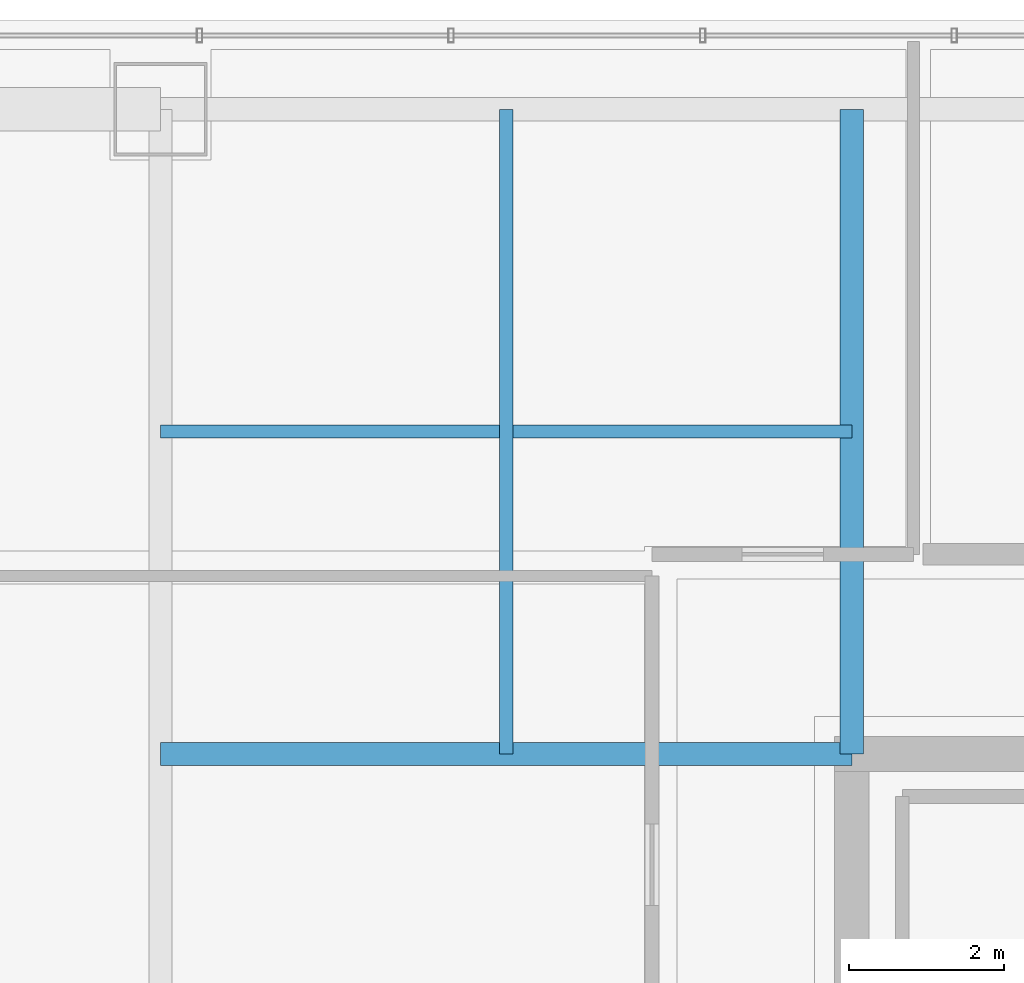
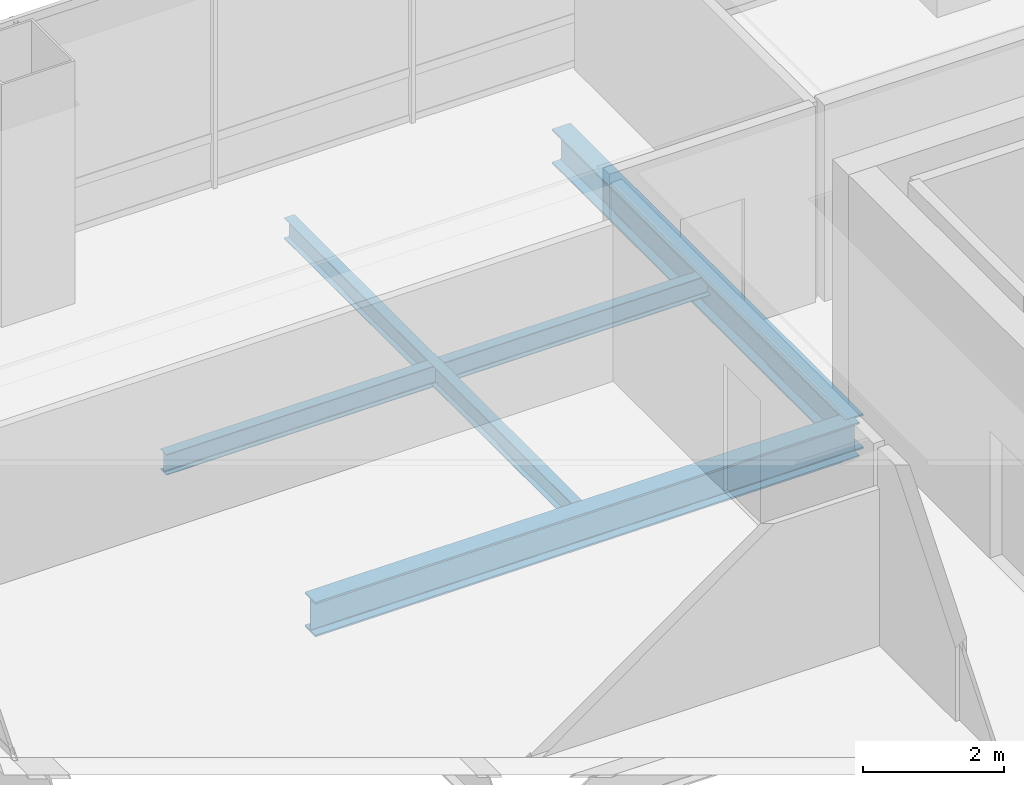
# One storey, part 24 of 42: 4 beams.
"""IFC4 building model written with IfcOpenShell, lengths in metres."""

from ifc_helpers import new_model, si_unit, direction, frame, origin, origin_2d, place, context, subcontext, project, spatial, i_section, extrude, material, material_profile, profile_set, type_object, element, save


model = new_model("IFC4")

# Units and contexts
model_context = context("Model", 3, precision=1e-05, world=origin(), true_north=direction((0.0, 1.0)))
body_context = subcontext(model_context, "Body", "Model", "MODEL_VIEW")
ifc_project = project(units=[si_unit("LENGTHUNIT", "METRE"), si_unit("AREAUNIT", "SQUARE_METRE"), si_unit("VOLUMEUNIT", "CUBIC_METRE"), si_unit("PLANEANGLEUNIT", "RADIAN"), si_unit("MASSUNIT", "GRAM", prefix="KILO")], contexts=[model_context])

# Site, building, storey
site_placement = place(None, origin())
site = spatial("IfcSite", under=ifc_project, at=site_placement, CompositionType="ELEMENT")
building_placement = place(site_placement, origin())
building = spatial("IfcBuilding", under=site, at=building_placement, Name="Punatoya Terracotta Tower", CompositionType="ELEMENT")
storey_placement = place(building_placement, frame((0.0, 0.0, 325.800048828125)))
storey = spatial("IfcBuildingStorey", under=building, at=storey_placement, Name="L77", CompositionType="ELEMENT", Elevation=325.800048828125)

# Beams
ifc_material = material(Name="Steel S355", Category="steel")
ifc_material_profile_1 = material_profile(ifc_material, i_section(OverallWidth=0.300048828125, OverallDepth=0.60009765625, WebThickness=0.015380859375, FlangeThickness=0.030029296875, FilletRadius=0.01806640625, at=origin_2d()))
ifc_profile_set_1 = profile_set([ifc_material_profile_1], Name="Steel S355")
beam_type_1 = type_object("IfcBeamType", Name="BM-PRI-600", PredefinedType="BEAM", material=ifc_profile_set_1)
beam_1_placement = place(storey_placement, frame((-19.10009765625, 9.199951171875, -0.5), z_axis=(1.0, 0.0, 0.0), x_axis=(0.0, 1.0, 0.0)))
element("IfcBeam", 1, at=beam_1_placement, inside=storey, type_object=beam_type_1, Name="BM-L77-PR-WN", PredefinedType="BEAM", context=body_context, shape_type="SweptSolid", body=[
    extrude(i_section(OverallWidth=0.300048828125, OverallDepth=0.60009765625, WebThickness=0.015380859375, FlangeThickness=0.030029296875, FilletRadius=0.01806640625, at=origin_2d()), origin(), (0.0, 0.0, 1.0), 8.900146484375),
])
beam_2_placement = place(storey_placement, frame((-10.199951171875, 9.199951171875, -0.5), z_axis=(0.0, 1.0, 0.0), x_axis=(-1.0, 0.0, 0.0)))
element("IfcBeam", 2, at=beam_2_placement, inside=storey, type_object=beam_type_1, Name="BM-L77-PR-N1", PredefinedType="BEAM", context=body_context, shape_type="SweptSolid", body=[
    extrude(i_section(OverallWidth=0.300048828125, OverallDepth=0.60009765625, WebThickness=0.015380859375, FlangeThickness=0.030029296875, FilletRadius=0.01806640625, at=origin_2d()), origin(), (0.0, 0.0, 1.0), 8.300048828125),
])
ifc_material_profile_2 = material_profile(ifc_material, i_section(OverallWidth=0.169921875, OverallDepth=0.360107421875, WebThickness=0.008056640625, FlangeThickness=0.0126953125, FilletRadius=0.01806640625, at=origin_2d()))
ifc_profile_set_2 = profile_set([ifc_material_profile_2], Name="Steel S355")
beam_type_2 = type_object("IfcBeamType", Name="BM-SEC-360", PredefinedType="JOIST", material=ifc_profile_set_2)
beam_3_placement = place(storey_placement, frame((-19.10009765625, 13.35009765625, -0.380126953125), z_axis=(1.0, 0.0, 0.0), x_axis=(0.0, 1.0, 0.0)))
element("IfcBeam", 3, at=beam_3_placement, inside=storey, type_object=beam_type_2, Name="BM-L77-SJN-1", PredefinedType="JOIST", context=body_context, shape_type="SweptSolid", body=[
    extrude(i_section(OverallWidth=0.169921875, OverallDepth=0.360107421875, WebThickness=0.008056640625, FlangeThickness=0.0126953125, FilletRadius=0.01806640625, at=origin_2d()), origin(), (0.0, 0.0, 1.0), 8.900146484375),
])
beam_4_placement = place(storey_placement, frame((-14.64990234375, 9.199951171875, -0.380126953125), z_axis=(0.0, 1.0, 0.0), x_axis=(-1.0, 0.0, 0.0)))
element("IfcBeam", 4, at=beam_4_placement, inside=storey, type_object=beam_type_2, Name="BM-L77-SJW-2", PredefinedType="JOIST", context=body_context, shape_type="SweptSolid", body=[
    extrude(i_section(OverallWidth=0.169921875, OverallDepth=0.360107421875, WebThickness=0.008056640625, FlangeThickness=0.0126953125, FilletRadius=0.01806640625, at=origin_2d()), origin(), (0.0, 0.0, 1.0), 8.300048828125),
])

save(model, "model.ifc")
